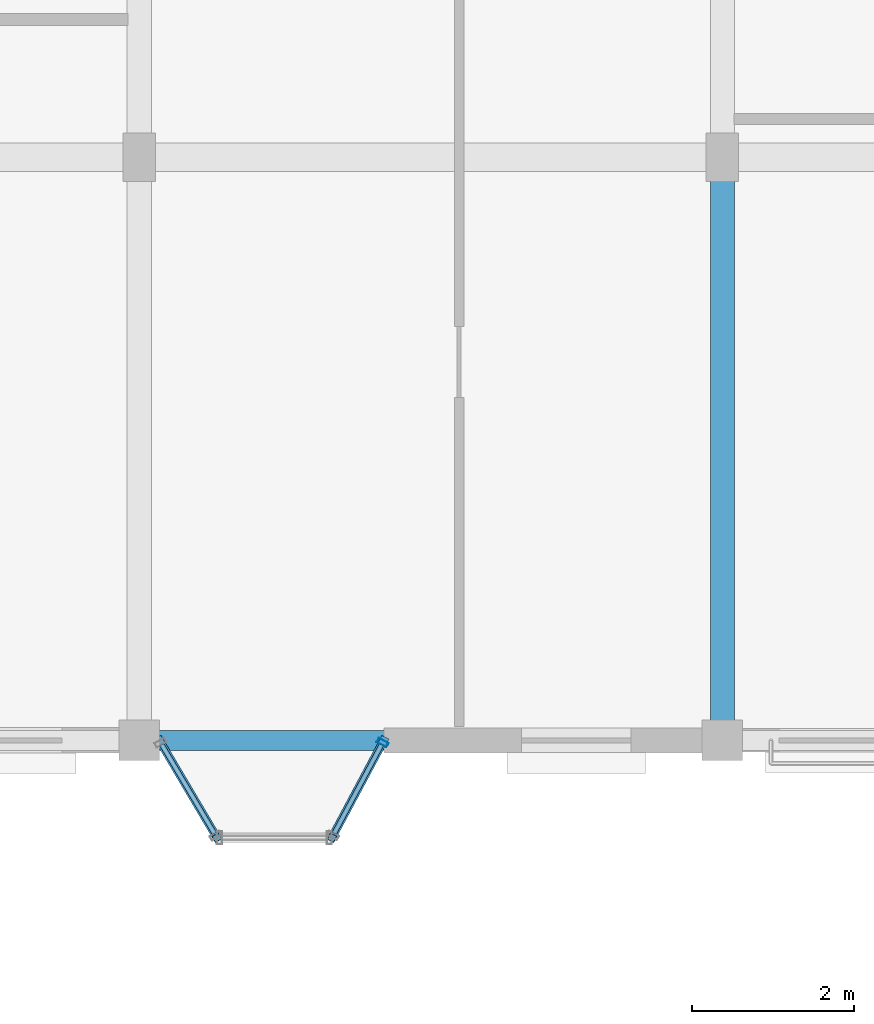
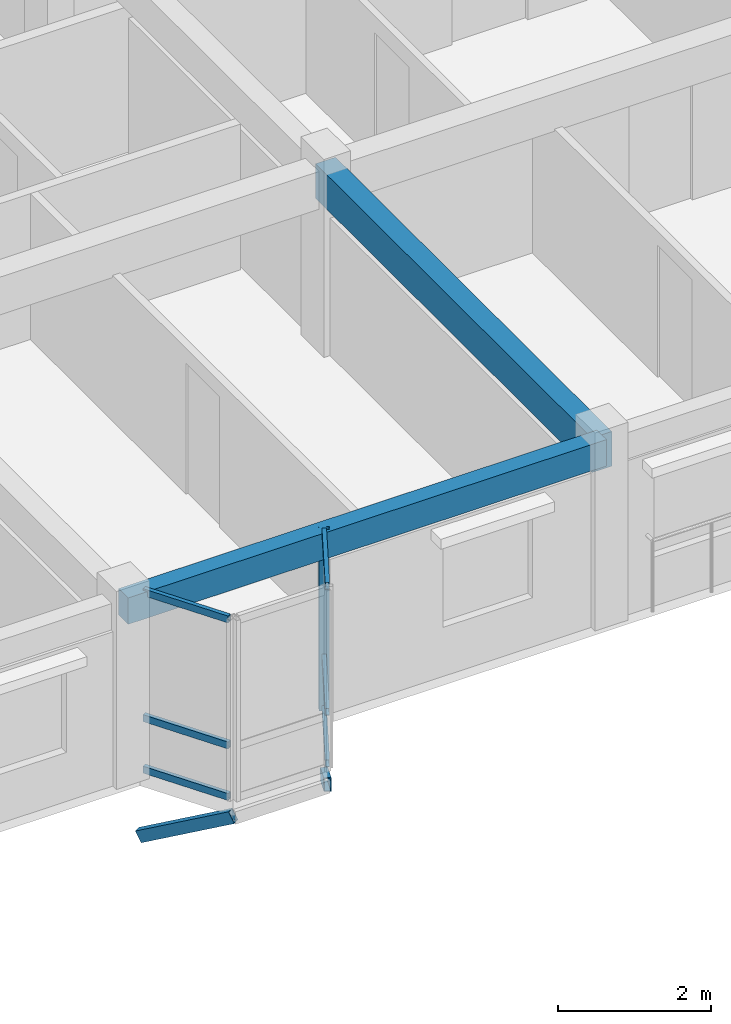
# One storey, part 24 of 64: 9 members, 2 beams, 2 elements without a shape of their own.
"""IFC4 building model written with IfcOpenShell, lengths in metres."""

from ifc_helpers import new_model, si_unit, direction, frame, origin, origin_2d, place, context, subcontext, project, spatial, rectangle, hollow_rectangle, extrude, material, layer, layer_set, material_profile, profile_set, type_object, element, aggregate, save


model = new_model("IFC4")

# Units and contexts
model_context = context("Model", 3, precision=1e-05, world=origin(), true_north=direction((0.0, 1.0)))
body_context = subcontext(model_context, "Body", "Model", "MODEL_VIEW")
ifc_project = project(units=[si_unit("LENGTHUNIT", "METRE"), si_unit("AREAUNIT", "SQUARE_METRE"), si_unit("VOLUMEUNIT", "CUBIC_METRE"), si_unit("PLANEANGLEUNIT", "RADIAN"), si_unit("MASSUNIT", "GRAM", prefix="KILO"), si_unit("THERMODYNAMICTEMPERATUREUNIT", "KELVIN"), si_unit("POWERUNIT", "WATT")], contexts=[model_context])

# Site, building, storey
site_placement = place(None, origin())
site = spatial("IfcSite", under=ifc_project, at=site_placement, CompositionType="ELEMENT")
building_placement = place(site_placement, origin())
building = spatial("IfcBuilding", under=site, at=building_placement, Name="Tavuni Mirador Residences", CompositionType="ELEMENT")
storey_placement = place(building_placement, frame((0.0, 0.0, 26.550048828125)))
storey = spatial("IfcBuildingStorey", under=building, at=storey_placement, Name="L08", CompositionType="ELEMENT", Elevation=26.550048828125)

# Beams
ifc_material_1 = material(Name="Precast concrete C40/50", Category="concrete")
ifc_material_profile_1 = material_profile(ifc_material_1, rectangle(XDim=0.300048828125, YDim=0.550048828125, at=origin_2d()), Name="PC 300x550", Category="concrete")
ifc_profile_set_1 = profile_set([ifc_material_profile_1], Name="Precast concrete C40/50")
beam_type_1 = type_object("IfcBeamType", Name="BT-B550", PredefinedType="BEAM", material=ifc_profile_set_1)
beam_1_placement = place(storey_placement, frame((25.199951171875, 144.0, 2.60986328125), z_axis=(0.0, 1.0, 0.0), x_axis=(-1.0, 0.0, 0.0)))
element("IfcBeam", 1, at=beam_1_placement, inside=storey, type_object=beam_type_1, Name="BMY-BLK-C-L08-02-00", PredefinedType="BEAM", context=body_context, shape_type="SweptSolid", body=[
    extrude(rectangle(XDim=0.300048828125, YDim=0.550048828125, at=origin_2d()), origin(), (0.0, 0.0, 1.0), 7.199951171875),
])
ifc_material_profile_2 = material_profile(ifc_material_1, rectangle(XDim=0.25, YDim=0.419921875, at=origin_2d()), Name="PC 250x420", Category="concrete")
ifc_profile_set_2 = profile_set([ifc_material_profile_2], Name="Precast concrete C40/50")
beam_type_2 = type_object("IfcBeamType", Name="BT-SP420", PredefinedType="SPANDREL", material=ifc_profile_set_2)
beam_2_placement = place(storey_placement, frame((18.0, 144.0, 2.675048828125), z_axis=(1.0, 0.0, 0.0), x_axis=(0.0, 1.0, 0.0)))
element("IfcBeam", 2, at=beam_2_placement, inside=storey, type_object=beam_type_2, Name="BMX-BLK-C-L08-01-00", PredefinedType="SPANDREL", context=body_context, shape_type="SweptSolid", body=[
    extrude(rectangle(XDim=0.25, YDim=0.419921875, at=origin_2d()), origin(), (0.0, 0.0, 1.0), 7.199951171875),
])

# Curtain wall, member
ifc_material_2 = material(Name="Anodised aluminium", Category="aluminium")
ifc_layer_1 = layer(ifc_material_2, 0.1650390625, Name="Anodised aluminium", Category="aluminium")
ifc_layer_set_1 = layer_set([ifc_layer_1], Name="Anodised aluminium")
curtain_wall_type_1 = type_object("IfcCurtainWallType", Name="CWT-MIR-A", PredefinedType="NOTDEFINED", material=ifc_layer_set_1)
curtain_wall_1_placement = place(storey_placement, origin())
curtain_wall_1 = element("IfcCurtainWall", 3, at=curtain_wall_1_placement, inside=storey, type_object=curtain_wall_type_1, Name="CW-MIR-C-S1-L08-M2", PredefinedType="NOTDEFINED")
ifc_material_profile_3 = material_profile(ifc_material_2, hollow_rectangle(XDim=0.06005859375, YDim=0.139892578125, WallThickness=0.00390625, at=origin_2d()), Name="ALU 60x140x4.0", Category="aluminium")
ifc_profile_set_3 = profile_set([ifc_material_profile_3], Name="Anodised aluminium")
member_type_1 = type_object("IfcMemberType", Name="CWM-140", PredefinedType="MULLION", material=ifc_profile_set_3)
member_1_placement = place(storey_placement, frame((21.005859375, 143.9736328125, 0.0), z_axis=(0.0, 0.0, 1.0), x_axis=(0.470588235296, 0.882352941175, 0.0)))
member_1 = element("IfcMember", 4, at=member_1_placement, type_object=member_type_1, Name="CW-01 mullion 2", PredefinedType="MULLION", context=body_context, shape_type="SweptSolid", body=[
    extrude(hollow_rectangle(XDim=0.06005859375, YDim=0.139892578125, WallThickness=0.00390625, at=origin_2d()), origin(), (0.0, 0.0, 1.0), 2.885009765625),
])

# Curtain wall, members
ifc_layer_2 = layer(ifc_material_2, 0.175048828125, Name="Anodised aluminium", Category="aluminium")
ifc_layer_set_2 = layer_set([ifc_layer_2], Name="Anodised aluminium")
curtain_wall_type_2 = type_object("IfcCurtainWallType", Name="CWT-MIR-C", PredefinedType="NOTDEFINED", material=ifc_layer_set_2)
curtain_wall_2_placement = place(storey_placement, origin())
curtain_wall_2 = element("IfcCurtainWall", 5, at=curtain_wall_2_placement, inside=storey, type_object=curtain_wall_type_2, Name="CW-MIR-C-S1-L08-M1", PredefinedType="NOTDEFINED")
ifc_material_profile_4 = material_profile(ifc_material_2, hollow_rectangle(XDim=0.06005859375, YDim=0.110107421875, WallThickness=0.00390625, at=origin_2d()), Name="ALU 60x110x4.0", Category="aluminium")
ifc_profile_set_4 = profile_set([ifc_material_profile_4], Name="Anodised aluminium")
member_type_2 = type_object("IfcMemberType", Name="CWT-110", PredefinedType="USERDEFINED", material=ifc_profile_set_4)
member_2_placement = place(storey_placement, frame((18.280517578125, 143.9482421875, 0.030029296875), z_axis=(0.509245603452, -0.860621238039, 0.0), x_axis=(0.860621238039, 0.509245603452, 0.0)))
member_2 = element("IfcMember", 6, at=member_2_placement, type_object=member_type_2, Name="CW-03 transom 1.1", ObjectType="TRANSOM", PredefinedType="USERDEFINED", context=body_context, shape_type="SweptSolid", body=[
    extrude(hollow_rectangle(XDim=0.06005859375, YDim=0.110107421875, WallThickness=0.00390625, at=origin_2d()), origin(), (0.0, 0.0, 1.0), 1.274169921875),
])
member_3_placement = place(storey_placement, frame((18.280517578125, 143.9482421875, 0.849853515625), z_axis=(0.509245603452, -0.860621238039, 0.0), x_axis=(0.860621238039, 0.509245603452, 0.0)))
member_3 = element("IfcMember", 7, at=member_3_placement, type_object=member_type_2, Name="CW-03 transom 1.2", ObjectType="TRANSOM", PredefinedType="USERDEFINED", context=body_context, shape_type="SweptSolid", body=[
    extrude(hollow_rectangle(XDim=0.06005859375, YDim=0.110107421875, WallThickness=0.00390625, at=origin_2d()), origin(), (0.0, 0.0, 1.0), 1.274169921875),
])
member_4_placement = place(storey_placement, frame((18.280517578125, 143.9482421875, 2.85498046875), z_axis=(0.509245603452, -0.860621238039, 0.0), x_axis=(0.860621238039, 0.509245603452, 0.0)))
member_4 = element("IfcMember", 8, at=member_4_placement, type_object=member_type_2, Name="CW-03 transom 1.3", ObjectType="TRANSOM", PredefinedType="USERDEFINED", context=body_context, shape_type="SweptSolid", body=[
    extrude(hollow_rectangle(XDim=0.06005859375, YDim=0.110107421875, WallThickness=0.00390625, at=origin_2d()), origin(), (0.0, 0.0, 1.0), 1.274169921875),
])
aggregate(curtain_wall_2, [member_2, member_3, member_4])

# Member
member_5_placement = place(storey_placement, frame((20.408203125, 142.85302734375, 0.030029296875), z_axis=(0.470608675382, 0.882342039492, 0.0), x_axis=(-0.882342039492, 0.470608675382, 0.0)))
member_5 = element("IfcMember", 9, at=member_5_placement, type_object=member_type_2, Name="CW-01 transom 1.1", ObjectType="TRANSOM", PredefinedType="USERDEFINED", context=body_context, shape_type="SweptSolid", body=[
    extrude(hollow_rectangle(XDim=0.06005859375, YDim=0.110107421875, WallThickness=0.00390625, at=origin_2d()), origin(), (0.0, 0.0, 1.0), 1.239990234375),
])

member_6_placement = place(storey_placement, frame((20.408203125, 142.85302734375, 0.849853515625), z_axis=(0.470608675382, 0.882342039492, 0.0), x_axis=(-0.882342039492, 0.470608675382, 0.0)))
member_6 = element("IfcMember", 10, at=member_6_placement, type_object=member_type_2, Name="CW-01 transom 1.2", ObjectType="TRANSOM", PredefinedType="USERDEFINED", context=body_context, shape_type="SweptSolid", body=[
    extrude(hollow_rectangle(XDim=0.06005859375, YDim=0.110107421875, WallThickness=0.00390625, at=origin_2d()), origin(), (0.0, 0.0, 1.0), 1.239990234375),
])

member_7_placement = place(storey_placement, frame((20.408203125, 142.85302734375, 2.85498046875), z_axis=(0.470608675382, 0.882342039492, 0.0), x_axis=(-0.882342039492, 0.470608675382, 0.0)))
member_7 = element("IfcMember", 11, at=member_7_placement, type_object=member_type_2, Name="CW-01 transom 1.3", ObjectType="TRANSOM", PredefinedType="USERDEFINED", context=body_context, shape_type="SweptSolid", body=[
    extrude(hollow_rectangle(XDim=0.06005859375, YDim=0.110107421875, WallThickness=0.00390625, at=origin_2d()), origin(), (0.0, 0.0, 1.0), 1.239990234375),
])

aggregate(curtain_wall_1, [member_1, member_5, member_6, member_7])

# Members
ifc_material_3 = material(Name="Structural steel S355", Category="steel")
ifc_material_profile_5 = material_profile(ifc_material_3, hollow_rectangle(XDim=0.10009765625, YDim=0.179931640625, WallThickness=0.008056640625, at=origin_2d()), Name="RHS 180x100x8.0", Category="steel")
ifc_profile_set_5 = profile_set([ifc_material_profile_5], Name="Structural steel S355")
member_type_3 = type_object("IfcMemberType", Name="MT-BR-RHS180", PredefinedType="BRACE", material=ifc_profile_set_5)
member_8_placement = place(storey_placement, frame((18.25, 144.0, -1.050048828125), z_axis=(0.443724340816, -0.74996737796, 0.490568691789), x_axis=(0.860644027762, 0.509207087026, 0.0)))
element("IfcMember", 12, at=member_8_placement, inside=storey, type_object=member_type_3, Name="MBRK-MIR-C-S1-L08-1", PredefinedType="BRACE", context=body_context, shape_type="SweptSolid", body=[
    extrude(hollow_rectangle(XDim=0.10009765625, YDim=0.179931640625, WallThickness=0.008056640625, at=origin_2d()), origin(), (0.0, 0.0, 1.0), 1.60009765625),
])
member_9_placement = place(storey_placement, frame((21.02001953125, 144.0, -1.050048828125), z_axis=(-0.407660536563, -0.76416915988, 0.499858361956), x_axis=(0.882303244255, -0.470681405175, 0.0)))
element("IfcMember", 13, at=member_9_placement, inside=storey, type_object=member_type_3, Name="MBRK-MIR-C-S1-L08-2", PredefinedType="BRACE", context=body_context, shape_type="SweptSolid", body=[
    extrude(hollow_rectangle(XDim=0.10009765625, YDim=0.179931640625, WallThickness=0.008056640625, at=origin_2d()), origin(), (0.0, 0.0, 1.0), 1.5703125),
])

save(model, "model.ifc")
